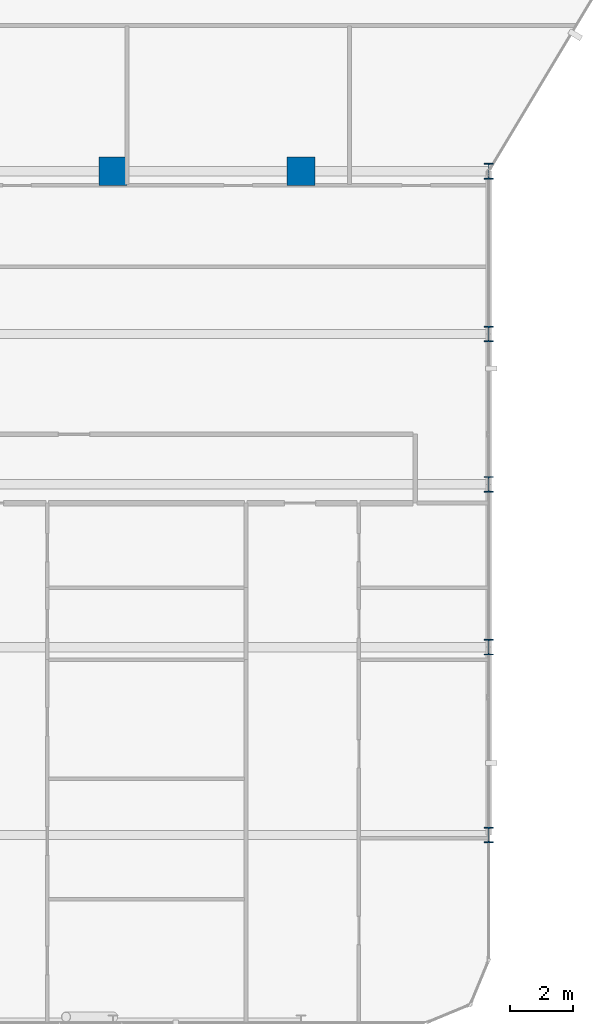
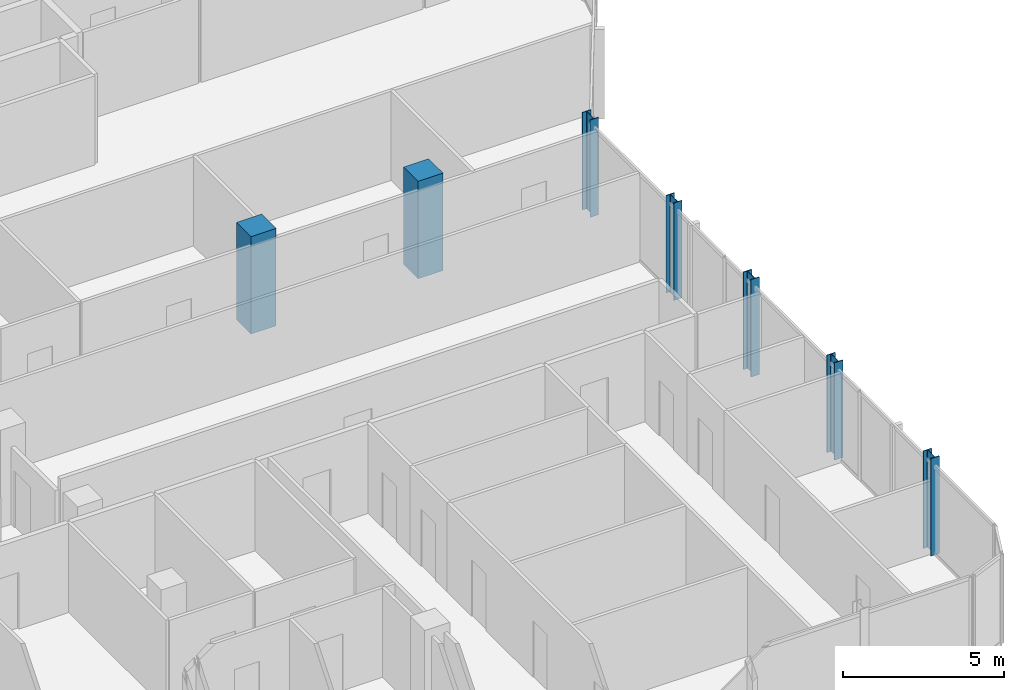
# One storey, part 2 of 31: 7 columns.
"""IFC4 building model written with IfcOpenShell, lengths in metres."""

import ifcopenshell
import ifcopenshell.guid

model = None  # the IFC model being written
_history = None  # IfcOwnerHistory: only IFC2X3 demands one
_inside = {}  # id of a spatial element -> (the spatial element, [elements in it])
_under = {}  # id of a project, library or spatial element -> (it, [spatial elements below it])
_declared = {}  # id of a project -> (the project, [libraries it declares])
_typed = {}  # id of a type object -> (the type object, [elements of that type])
_made_of = {}  # id of a material, layer set ... -> (it, [elements and type objects made of it])


def new_model(schema):
    """Start an empty IFC model of exactly this schema.

    Asked for "IFC4X3", IfcOpenShell would pick the latest addendum, in which some entities
    have other attributes; the version numbers below select the first issue.
    IFC2X3 requires an IfcOwnerHistory on every rooted entity: one is made here for all.
    """
    global model, _history
    if schema == "IFC4X3":
        model = ifcopenshell.file(schema_version=(4, 3, 0, 0))
    else:
        model = ifcopenshell.file(schema=schema)
    _inside.clear()
    _under.clear()
    _declared.clear()
    _typed.clear()
    _made_of.clear()
    _history = None
    if model.schema == "IFC2X3":
        org = make("IfcOrganization", Name="unknown")
        user = make(
            "IfcPersonAndOrganization",
            ThePerson=make("IfcPerson", FamilyName="unknown"),
            TheOrganization=org,
        )
        app = make(
            "IfcApplication",
            ApplicationDeveloper=org,
            Version="unknown",
            ApplicationFullName="unknown",
            ApplicationIdentifier="unknown",
        )
        _history = make(
            "IfcOwnerHistory",
            OwningUser=user,
            OwningApplication=app,
            ChangeAction="ADDED",
            CreationDate=0,
        )
    return model


def make(cls, **values):
    """One entity of the class cls with the attributes given. An attribute that is None is left unset."""
    return model.create_entity(
        cls, **{name: value for name, value in values.items() if value is not None}
    )


def rooted(cls, **values):
    """An entity with a GlobalId (a new one), such as an element, a storey or a relation."""
    return make(cls, GlobalId=ifcopenshell.guid.new(), OwnerHistory=_history, **values)


def si_unit(unit_type, name, prefix=None):
    """IfcSIUnit, for example si_unit("LENGTHUNIT", "METRE", prefix="MILLI")."""
    return make("IfcSIUnit", UnitType=unit_type, Prefix=prefix, Name=name)


def assignment(units):
    """IfcUnitAssignment: the units of a project."""
    return None if units is None else make("IfcUnitAssignment", Units=units)


def point(xyz):
    """IfcCartesianPoint."""
    return None if xyz is None else make("IfcCartesianPoint", Coordinates=xyz)


def direction(xyz):
    """IfcDirection."""
    return None if xyz is None else make("IfcDirection", DirectionRatios=xyz)


def frame(location, z_axis=None, x_axis=None):
    """IfcAxis2Placement3D, a coordinate frame: its origin and axes. An axis left out is left unset."""
    return make(
        "IfcAxis2Placement3D",
        Location=point(location),
        Axis=direction(z_axis),
        RefDirection=direction(x_axis),
    )


def frame_2d(location, x_axis=None):
    """IfcAxis2Placement2D, a coordinate frame in the plane: its origin and x axis."""
    return make(
        "IfcAxis2Placement2D", Location=point(location), RefDirection=direction(x_axis)
    )


def origin():
    """The frame at (0, 0, 0) with its axes left unset."""
    return frame((0.0, 0.0, 0.0))


def origin_2d():
    """The frame at (0, 0) in the plane with its x axis left unset."""
    return frame_2d((0.0, 0.0))


def place(relative_to, where):
    """IfcLocalPlacement: puts the frame where relative to a parent placement (None: the world)."""
    return make(
        "IfcLocalPlacement", PlacementRelTo=relative_to, RelativePlacement=where
    )


def context(
    kind, dimensions, precision=None, world=None, true_north=None, identifier=None
):
    """IfcGeometricRepresentationContext, for example the 3D "Model" context."""
    return make(
        "IfcGeometricRepresentationContext",
        ContextIdentifier=identifier,
        ContextType=kind,
        CoordinateSpaceDimension=dimensions,
        Precision=precision,
        WorldCoordinateSystem=world,
        TrueNorth=true_north,
    )


def subcontext(parent, identifier, kind, view, scale=None):
    """IfcGeometricRepresentationSubContext, for example "Body" below "Model"."""
    return make(
        "IfcGeometricRepresentationSubContext",
        ContextIdentifier=identifier,
        ContextType=kind,
        ParentContext=parent,
        TargetScale=scale,
        TargetView=view,
    )


def project(units=None, contexts=None):
    """IfcProject with its units and contexts."""
    return rooted(
        "IfcProject",
        Name="project",
        RepresentationContexts=contexts,
        UnitsInContext=assignment(units),
    )


def spatial(cls, under=None, at=None, **own):
    """A site, building, storey or space (cls), placed at a placement, below another one or the project."""
    s = rooted(cls, ObjectPlacement=at, **own)
    if under is not None:
        _under.setdefault(under.id(), (under, []))[1].append(s)
    return s


def profile(cls, at=None, kind="AREA", **sizes):
    """A parametric profile (cls). Its sizes go by their IFC names, for example OverallWidth=200.0."""
    return make(cls, ProfileType=kind, Position=at, **sizes)


def rectangle(**sizes):
    """IfcRectangleProfileDef."""
    return profile("IfcRectangleProfileDef", **sizes)


def i_section(**sizes):
    """IfcIShapeProfileDef."""
    return profile("IfcIShapeProfileDef", **sizes)


def extrude(swept, where, along, depth):
    """IfcExtrudedAreaSolid: the profile swept, set in the frame where, extruded along a direction by depth."""
    return make(
        "IfcExtrudedAreaSolid",
        SweptArea=swept,
        Position=where,
        ExtrudedDirection=direction(along),
        Depth=depth,
    )


def shape(context_of_items, identifier, shape_type, items):
    """IfcShapeRepresentation: the items that make up one representation, for example the "Body"."""
    return make(
        "IfcShapeRepresentation",
        ContextOfItems=context_of_items,
        RepresentationIdentifier=identifier,
        RepresentationType=shape_type,
        Items=items,
    )


def material(Name=None, Category=None):
    """IfcMaterial."""
    return make("IfcMaterial", Name=Name, Category=Category)


def material_profile(
    of_material, cross_section, Name=None, Category=None, Priority=None
):
    """IfcMaterialProfile: a cross section and its material."""
    return make(
        "IfcMaterialProfile",
        Name=Name,
        Material=of_material,
        Profile=cross_section,
        Priority=Priority,
        Category=Category,
    )


def profile_set(profiles, Name=None, composite=None):
    """IfcMaterialProfileSet."""
    return make(
        "IfcMaterialProfileSet",
        Name=Name,
        MaterialProfiles=profiles,
        CompositeProfile=composite,
    )


def made_of(thing, what):
    """Note that an element or type object is made of a material, layer set ...; save() writes the relation."""
    if what is not None:
        _made_of.setdefault(what.id(), (what, []))[1].append(thing)
    return thing


def type_object(cls, material=None, **own):
    """A type object (cls), such as IfcWallType, which elements share."""
    return made_of(rooted(cls, **own), material)


def element(
    cls,
    number,
    at=None,
    inside=None,
    cuts=None,
    type_object=None,
    material=None,
    context=None,
    identifier="Body",
    shape_type=None,
    held_by="IfcProductDefinitionShape",
    body=None,
    shapes=None,
    **own,
):
    """One element of the class cls, such as IfcWall. Its Tag is "e" and its number.

    at: its placement. inside: the storey or other place that contains it. cuts: it is an
    opening in that element (IfcRelVoidsElement). A single representation is given by context,
    identifier, shape_type and body (its items); several are given by shapes. held_by: the class
    of the entity that holds the representations. save() writes the other relations.
    """
    e = rooted(cls, Tag="e%d" % number, ObjectPlacement=at, **own)
    if body is not None:
        shapes = [shape(context, identifier, shape_type, body)]
    if shapes is not None:
        e.Representation = make(held_by, Representations=shapes)
    if inside is not None:
        _inside.setdefault(inside.id(), (inside, []))[1].append(e)
    if cuts is not None:
        rooted(
            "IfcRelVoidsElement", RelatingBuildingElement=cuts, RelatedOpeningElement=e
        )
    if type_object is not None:
        _typed.setdefault(type_object.id(), (type_object, []))[1].append(e)
    return made_of(e, material)


def aggregate(whole, parts):
    """IfcRelAggregates: a whole, such as a stair, and the parts it consists of."""
    return rooted("IfcRelAggregates", RelatingObject=whole, RelatedObjects=parts)


def save(model, path):
    """Write the relations noted so far, then the file.

    IfcRelAggregates (storeys below a building ...), IfcRelContainedInSpatialStructure (elements
    in a storey), IfcRelDefinesByType, IfcRelAssociatesMaterial and IfcRelDeclares: one each for
    every whole, place, type object, material and project.
    """
    for whole, parts in _under.values():
        aggregate(whole, parts)
    for where, things in _inside.values():
        rooted(
            "IfcRelContainedInSpatialStructure",
            RelatedElements=things,
            RelatingStructure=where,
        )
    for kind, things in _typed.values():
        rooted("IfcRelDefinesByType", RelatedObjects=things, RelatingType=kind)
    for what, things in _made_of.values():
        rooted("IfcRelAssociatesMaterial", RelatedObjects=things, RelatingMaterial=what)
    for by, libraries in _declared.values():
        rooted("IfcRelDeclares", RelatingContext=by, RelatedDefinitions=libraries)
    model.write(path)


model = new_model("IFC4")

# Units and contexts
model_context = context("Model", 3, precision=1e-05, world=origin(), true_north=direction((0.0, 1.0)))
body_context = subcontext(model_context, "Body", "Model", "MODEL_VIEW")
ifc_project = project(units=[si_unit("LENGTHUNIT", "METRE"), si_unit("AREAUNIT", "SQUARE_METRE"), si_unit("VOLUMEUNIT", "CUBIC_METRE"), si_unit("PLANEANGLEUNIT", "RADIAN"), si_unit("MASSUNIT", "GRAM", prefix="KILO")], contexts=[model_context])

# Site, building, storey
site_placement = place(None, origin())
site = spatial("IfcSite", under=ifc_project, at=site_placement, CompositionType="ELEMENT")
building_placement = place(site_placement, origin())
building = spatial("IfcBuilding", under=site, at=building_placement, Name="Keshet Zoharim Tower", CompositionType="ELEMENT")
storey_placement = place(building_placement, frame((0.0, 0.0, 133.5)))
storey = spatial("IfcBuildingStorey", under=building, at=storey_placement, Name="L32", CompositionType="ELEMENT", Elevation=133.5)

# Columns
ifc_material_1 = material(Name="Steel S355", Category="steel")
ifc_material_profile_1 = material_profile(ifc_material_1, i_section(OverallWidth=0.300048828125, OverallDepth=0.5, WebThickness=0.014404296875, FlangeThickness=0.028076171875, FilletRadius=0.027099609375, at=origin_2d()), Name="HEB500")
ifc_profile_set_1 = profile_set([ifc_material_profile_1], Name="Steel S355")
column_type_1 = type_object("IfcColumnType", Name="COL-HEB500", PredefinedType="COLUMN", material=ifc_profile_set_1)
for number, where, z_axis, x_axis, name in (
    (1, (57.0, 6.699951171875, 0.0), (0.0, 0.0, 1.0), (1.0, 0.0, 0.0), "L32 Column 10B"),
    (2, (57.0, 12.699951171875, 0.0), (0.0, 0.0, 1.0), (1.0, 0.0, 0.0), "L32 Column 10C"),
    (3, (57.0, 17.89990234375, 0.0), (0.0, 0.0, 1.0), (1.0, 0.0, 0.0), "L32 Column 10D"),
    (4, (57.0, 22.699951171875, 0.0), (0.0, 0.0, 1.0), (1.0, 0.0, 0.0), "L32 Column 10E"),
    (5, (57.0, 27.89990234375, 0.0), (0.0, 0.0, 1.0), (1.0, 0.0, 0.0), "L32 Column 10F"),
):
    element("IfcColumn", number, at=place(storey_placement, frame(where, z_axis=z_axis, x_axis=x_axis)), inside=storey, type_object=column_type_1, Name=name, PredefinedType="COLUMN", context=body_context, shape_type="SweptSolid", body=[
        extrude(i_section(OverallWidth=0.300048828125, OverallDepth=0.5, WebThickness=0.014404296875, FlangeThickness=0.028076171875, FilletRadius=0.027099609375, at=origin_2d()), origin(), (0.0, 0.0, 1.0), 3.699951171875),
    ])
ifc_material_2 = material(Name="Concrete C60/75", Category="concrete")
ifc_material_profile_2 = material_profile(ifc_material_2, rectangle(XDim=0.89990234375, YDim=0.89990234375, at=origin_2d()), Name="RC900x900")
ifc_profile_set_2 = profile_set([ifc_material_profile_2], Name="Concrete C60/75")
column_type_2 = type_object("IfcColumnType", Name="COL-RC900", PredefinedType="COLUMN", material=ifc_profile_set_2)
for number, where, z_axis, x_axis, name in (
    (6, (45.0, 27.89990234375, 0.0), (0.0, 0.0, 1.0), (1.0, 0.0, 0.0), "L32 Column 8F"),
    (7, (51.0, 27.89990234375, 0.0), (0.0, 0.0, 1.0), (1.0, 0.0, 0.0), "L32 Column 9F"),
):
    element("IfcColumn", number, at=place(storey_placement, frame(where, z_axis=z_axis, x_axis=x_axis)), inside=storey, type_object=column_type_2, Name=name, PredefinedType="COLUMN", context=body_context, shape_type="SweptSolid", body=[
        extrude(rectangle(XDim=0.89990234375, YDim=0.89990234375, at=origin_2d()), origin(), (0.0, 0.0, 1.0), 3.699951171875),
    ])

save(model, "model.ifc")
